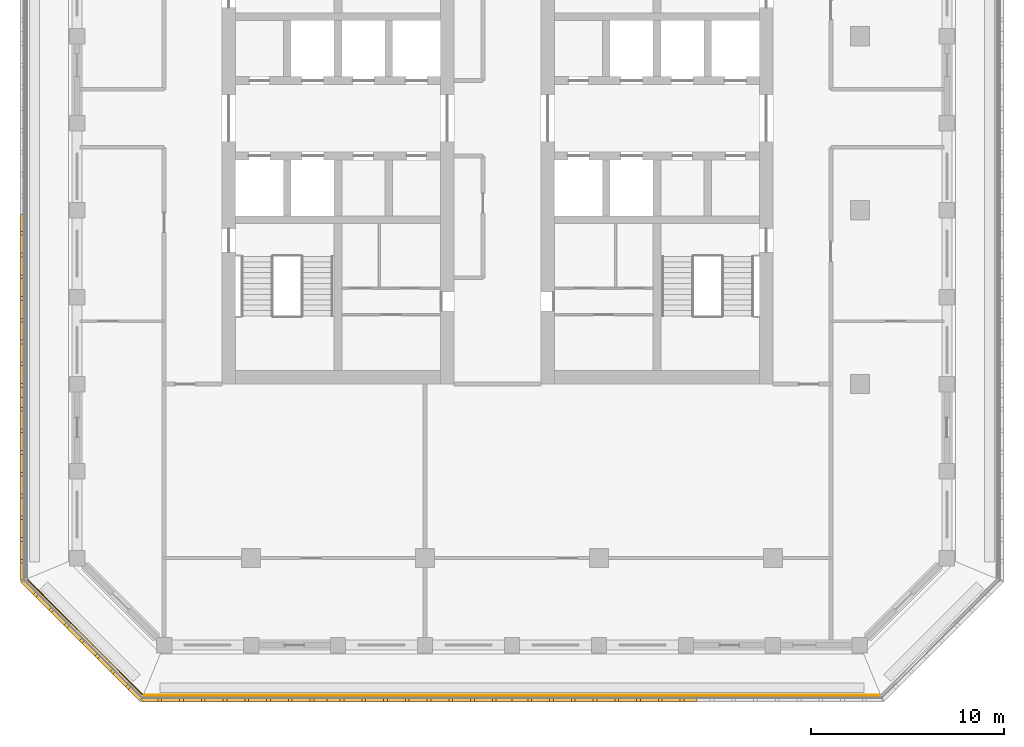
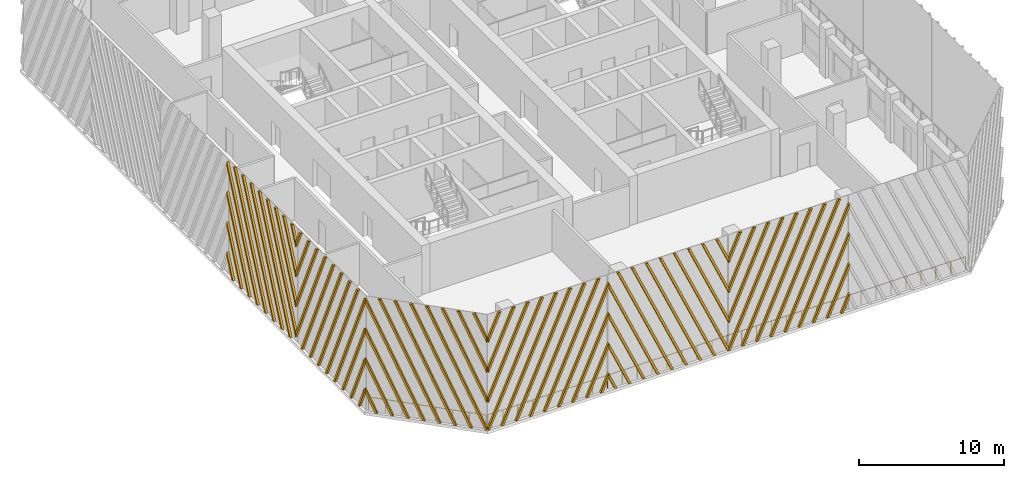
# One storey, part 9 of 17: 6 shading devices, 2 railings.
"""IFC4 building model written with IfcOpenShell, lengths in metres."""

import ifcopenshell
import ifcopenshell.guid

model = None  # the IFC model being written
_history = None  # IfcOwnerHistory: only IFC2X3 demands one
_inside = {}  # id of a spatial element -> (the spatial element, [elements in it])
_under = {}  # id of a project, library or spatial element -> (it, [spatial elements below it])
_declared = {}  # id of a project -> (the project, [libraries it declares])
_typed = {}  # id of a type object -> (the type object, [elements of that type])
_made_of = {}  # id of a material, layer set ... -> (it, [elements and type objects made of it])


def new_model(schema):
    """Start an empty IFC model of exactly this schema.

    Asked for "IFC4X3", IfcOpenShell would pick the latest addendum, in which some entities
    have other attributes; the version numbers below select the first issue.
    IFC2X3 requires an IfcOwnerHistory on every rooted entity: one is made here for all.
    """
    global model, _history
    if schema == "IFC4X3":
        model = ifcopenshell.file(schema_version=(4, 3, 0, 0))
    else:
        model = ifcopenshell.file(schema=schema)
    _inside.clear()
    _under.clear()
    _declared.clear()
    _typed.clear()
    _made_of.clear()
    _history = None
    if model.schema == "IFC2X3":
        org = make("IfcOrganization", Name="unknown")
        user = make(
            "IfcPersonAndOrganization",
            ThePerson=make("IfcPerson", FamilyName="unknown"),
            TheOrganization=org,
        )
        app = make(
            "IfcApplication",
            ApplicationDeveloper=org,
            Version="unknown",
            ApplicationFullName="unknown",
            ApplicationIdentifier="unknown",
        )
        _history = make(
            "IfcOwnerHistory",
            OwningUser=user,
            OwningApplication=app,
            ChangeAction="ADDED",
            CreationDate=0,
        )
    return model


def make(cls, **values):
    """One entity of the class cls with the attributes given. An attribute that is None is left unset."""
    return model.create_entity(
        cls, **{name: value for name, value in values.items() if value is not None}
    )


def rooted(cls, **values):
    """An entity with a GlobalId (a new one), such as an element, a storey or a relation."""
    return make(cls, GlobalId=ifcopenshell.guid.new(), OwnerHistory=_history, **values)


def si_unit(unit_type, name, prefix=None):
    """IfcSIUnit, for example si_unit("LENGTHUNIT", "METRE", prefix="MILLI")."""
    return make("IfcSIUnit", UnitType=unit_type, Prefix=prefix, Name=name)


def assignment(units):
    """IfcUnitAssignment: the units of a project."""
    return None if units is None else make("IfcUnitAssignment", Units=units)


def point(xyz):
    """IfcCartesianPoint."""
    return None if xyz is None else make("IfcCartesianPoint", Coordinates=xyz)


def direction(xyz):
    """IfcDirection."""
    return None if xyz is None else make("IfcDirection", DirectionRatios=xyz)


def frame(location, z_axis=None, x_axis=None):
    """IfcAxis2Placement3D, a coordinate frame: its origin and axes. An axis left out is left unset."""
    return make(
        "IfcAxis2Placement3D",
        Location=point(location),
        Axis=direction(z_axis),
        RefDirection=direction(x_axis),
    )


def frame_2d(location, x_axis=None):
    """IfcAxis2Placement2D, a coordinate frame in the plane: its origin and x axis."""
    return make(
        "IfcAxis2Placement2D", Location=point(location), RefDirection=direction(x_axis)
    )


def origin():
    """The frame at (0, 0, 0) with its axes left unset."""
    return frame((0.0, 0.0, 0.0))


def origin_2d():
    """The frame at (0, 0) in the plane with its x axis left unset."""
    return frame_2d((0.0, 0.0))


def place(relative_to, where):
    """IfcLocalPlacement: puts the frame where relative to a parent placement (None: the world)."""
    return make(
        "IfcLocalPlacement", PlacementRelTo=relative_to, RelativePlacement=where
    )


def context(
    kind, dimensions, precision=None, world=None, true_north=None, identifier=None
):
    """IfcGeometricRepresentationContext, for example the 3D "Model" context."""
    return make(
        "IfcGeometricRepresentationContext",
        ContextIdentifier=identifier,
        ContextType=kind,
        CoordinateSpaceDimension=dimensions,
        Precision=precision,
        WorldCoordinateSystem=world,
        TrueNorth=true_north,
    )


def subcontext(parent, identifier, kind, view, scale=None):
    """IfcGeometricRepresentationSubContext, for example "Body" below "Model"."""
    return make(
        "IfcGeometricRepresentationSubContext",
        ContextIdentifier=identifier,
        ContextType=kind,
        ParentContext=parent,
        TargetScale=scale,
        TargetView=view,
    )


def project(units=None, contexts=None):
    """IfcProject with its units and contexts."""
    return rooted(
        "IfcProject",
        Name="project",
        RepresentationContexts=contexts,
        UnitsInContext=assignment(units),
    )


def spatial(cls, under=None, at=None, **own):
    """A site, building, storey or space (cls), placed at a placement, below another one or the project."""
    s = rooted(cls, ObjectPlacement=at, **own)
    if under is not None:
        _under.setdefault(under.id(), (under, []))[1].append(s)
    return s


def polyline(points):
    """IfcPolyline through the points."""
    return make("IfcPolyline", Points=[point(p) for p in points])


def profile(cls, at=None, kind="AREA", **sizes):
    """A parametric profile (cls). Its sizes go by their IFC names, for example OverallWidth=200.0."""
    return make(cls, ProfileType=kind, Position=at, **sizes)


def circle(**sizes):
    """IfcCircleProfileDef."""
    return profile("IfcCircleProfileDef", **sizes)


def outline(outer, holes=None, kind="AREA"):
    """IfcArbitraryClosedProfileDef: a profile drawn as a closed curve; with holes, ...WithVoids."""
    if holes is None:
        return make("IfcArbitraryClosedProfileDef", ProfileType=kind, OuterCurve=outer)
    return make(
        "IfcArbitraryProfileDefWithVoids",
        ProfileType=kind,
        OuterCurve=outer,
        InnerCurves=holes,
    )


def extrude(swept, where, along, depth):
    """IfcExtrudedAreaSolid: the profile swept, set in the frame where, extruded along a direction by depth."""
    return make(
        "IfcExtrudedAreaSolid",
        SweptArea=swept,
        Position=where,
        ExtrudedDirection=direction(along),
        Depth=depth,
    )


def shape(context_of_items, identifier, shape_type, items):
    """IfcShapeRepresentation: the items that make up one representation, for example the "Body"."""
    return make(
        "IfcShapeRepresentation",
        ContextOfItems=context_of_items,
        RepresentationIdentifier=identifier,
        RepresentationType=shape_type,
        Items=items,
    )


def source(mapping_origin, context_of_items, identifier, shape_type, items):
    """IfcRepresentationMap: a shape defined once, which mapped items show again and again."""
    return make(
        "IfcRepresentationMap",
        MappingOrigin=mapping_origin,
        MappedRepresentation=shape(context_of_items, identifier, shape_type, items),
    )


def transform(
    local_origin,
    x_axis=None,
    y_axis=None,
    z_axis=None,
    scale=None,
    scale2=None,
    scale3=None,
    uniform=True,
):
    """IfcCartesianTransformationOperator3D, or its non-uniform kind. x_axis, y_axis, z_axis: its Axis1, 2, 3."""
    if uniform:
        return make(
            "IfcCartesianTransformationOperator3D",
            Axis1=direction(x_axis),
            Axis2=direction(y_axis),
            LocalOrigin=point(local_origin),
            Scale=scale,
            Axis3=direction(z_axis),
        )
    return make(
        "IfcCartesianTransformationOperator3DnonUniform",
        Axis1=direction(x_axis),
        Axis2=direction(y_axis),
        LocalOrigin=point(local_origin),
        Scale=scale,
        Axis3=direction(z_axis),
        Scale2=scale2,
        Scale3=scale3,
    )


def mapped(mapping_source, mapping_target):
    """IfcMappedItem: shows the shape of a source again, moved by a transform."""
    return make(
        "IfcMappedItem", MappingSource=mapping_source, MappingTarget=mapping_target
    )


def material(Name=None, Category=None):
    """IfcMaterial."""
    return make("IfcMaterial", Name=Name, Category=Category)


def made_of(thing, what):
    """Note that an element or type object is made of a material, layer set ...; save() writes the relation."""
    if what is not None:
        _made_of.setdefault(what.id(), (what, []))[1].append(thing)
    return thing


def type_object(cls, material=None, **own):
    """A type object (cls), such as IfcWallType, which elements share."""
    return made_of(rooted(cls, **own), material)


def element(
    cls,
    number,
    at=None,
    inside=None,
    cuts=None,
    type_object=None,
    material=None,
    context=None,
    identifier="Body",
    shape_type=None,
    held_by="IfcProductDefinitionShape",
    body=None,
    shapes=None,
    **own,
):
    """One element of the class cls, such as IfcWall. Its Tag is "e" and its number.

    at: its placement. inside: the storey or other place that contains it. cuts: it is an
    opening in that element (IfcRelVoidsElement). A single representation is given by context,
    identifier, shape_type and body (its items); several are given by shapes. held_by: the class
    of the entity that holds the representations. save() writes the other relations.
    """
    e = rooted(cls, Tag="e%d" % number, ObjectPlacement=at, **own)
    if body is not None:
        shapes = [shape(context, identifier, shape_type, body)]
    if shapes is not None:
        e.Representation = make(held_by, Representations=shapes)
    if inside is not None:
        _inside.setdefault(inside.id(), (inside, []))[1].append(e)
    if cuts is not None:
        rooted(
            "IfcRelVoidsElement", RelatingBuildingElement=cuts, RelatedOpeningElement=e
        )
    if type_object is not None:
        _typed.setdefault(type_object.id(), (type_object, []))[1].append(e)
    return made_of(e, material)


def aggregate(whole, parts):
    """IfcRelAggregates: a whole, such as a stair, and the parts it consists of."""
    return rooted("IfcRelAggregates", RelatingObject=whole, RelatedObjects=parts)


def save(model, path):
    """Write the relations noted so far, then the file.

    IfcRelAggregates (storeys below a building ...), IfcRelContainedInSpatialStructure (elements
    in a storey), IfcRelDefinesByType, IfcRelAssociatesMaterial and IfcRelDeclares: one each for
    every whole, place, type object, material and project.
    """
    for whole, parts in _under.values():
        aggregate(whole, parts)
    for where, things in _inside.values():
        rooted(
            "IfcRelContainedInSpatialStructure",
            RelatedElements=things,
            RelatingStructure=where,
        )
    for kind, things in _typed.values():
        rooted("IfcRelDefinesByType", RelatedObjects=things, RelatingType=kind)
    for what, things in _made_of.values():
        rooted("IfcRelAssociatesMaterial", RelatedObjects=things, RelatingMaterial=what)
    for by, libraries in _declared.values():
        rooted("IfcRelDeclares", RelatingContext=by, RelatedDefinitions=libraries)
    model.write(path)


model = new_model("IFC4")

# Units and contexts
model_context = context("Model", 3, precision=1e-05, world=origin(), true_north=direction((0.0, 1.0)))
body_context = subcontext(model_context, "Body", "Model", "MODEL_VIEW")
ifc_project = project(units=[si_unit("LENGTHUNIT", "METRE"), si_unit("AREAUNIT", "SQUARE_METRE"), si_unit("VOLUMEUNIT", "CUBIC_METRE"), si_unit("PLANEANGLEUNIT", "RADIAN"), si_unit("MASSUNIT", "GRAM", prefix="KILO")], contexts=[model_context])

# Site, building, storey
site_placement = place(None, origin())
site = spatial("IfcSite", under=ifc_project, at=site_placement, CompositionType="ELEMENT")
building_placement = place(site_placement, origin())
building = spatial("IfcBuilding", under=site, at=building_placement, Name="Corbel Stack Research Tower", CompositionType="ELEMENT")
storey_placement = place(building_placement, frame((0.0, 0.0, 256.199951171875)))
storey = spatial("IfcBuildingStorey", under=building, at=storey_placement, Name="L58", CompositionType="ELEMENT", Elevation=256.199951171875)

# Railings
ifc_material_1 = material(Name="Powder-coated steel guard", Category="steel")
railing_type = type_object("IfcRailingType", Name="Steel and glass guard 1100", PredefinedType="GUARDRAIL", material=ifc_material_1)
railing_1_placement = place(storey_placement, frame((-14.50537109375, -25.10009765625, 0.0)))
element("IfcRailing", 1, at=railing_1_placement, inside=storey, type_object=railing_type, Name="Loggia guard L58 S", PredefinedType="GUARDRAIL", context=body_context, shape_type="SweptSolid", body=[
    extrude(circle(Radius=0.02392578125, at=origin_2d()), frame((0.0, 0.0, 1.076171875), z_axis=(1.0, 0.0, 0.0), x_axis=(0.0, 1.0, 0.0)), (0.0, 0.0, 1.0), 38.0107421875),
    extrude(circle(Radius=0.02099609375, at=origin_2d()), origin(), (0.0, 0.0, 1.0), 1.052001953125),
    extrude(circle(Radius=0.02099609375, at=origin_2d()), frame((1.187744140625, 0.0, 0.0)), (0.0, 0.0, 1.0), 1.052001953125),
    extrude(circle(Radius=0.02099609375, at=origin_2d()), frame((2.375732421875, 0.0, 0.0)), (0.0, 0.0, 1.0), 1.052001953125),
    extrude(circle(Radius=0.02099609375, at=origin_2d()), frame((3.5634765625, 0.0, 0.0)), (0.0, 0.0, 1.0), 1.052001953125),
    extrude(circle(Radius=0.02099609375, at=origin_2d()), frame((4.75146484375, 0.0, 0.0)), (0.0, 0.0, 1.0), 1.052001953125),
    extrude(circle(Radius=0.02099609375, at=origin_2d()), frame((5.939208984375, 0.0, 0.0)), (0.0, 0.0, 1.0), 1.052001953125),
    extrude(circle(Radius=0.02099609375, at=origin_2d()), frame((7.126953125, 0.0, 0.0)), (0.0, 0.0, 1.0), 1.052001953125),
    extrude(circle(Radius=0.02099609375, at=origin_2d()), frame((8.31494140625, 0.0, 0.0)), (0.0, 0.0, 1.0), 1.052001953125),
    extrude(circle(Radius=0.02099609375, at=origin_2d()), frame((9.502685546875, 0.0, 0.0)), (0.0, 0.0, 1.0), 1.052001953125),
    extrude(circle(Radius=0.02099609375, at=origin_2d()), frame((10.6904296875, 0.0, 0.0)), (0.0, 0.0, 1.0), 1.052001953125),
    extrude(circle(Radius=0.02099609375, at=origin_2d()), frame((11.87841796875, 0.0, 0.0)), (0.0, 0.0, 1.0), 1.052001953125),
    extrude(circle(Radius=0.02099609375, at=origin_2d()), frame((13.066162109375, 0.0, 0.0)), (0.0, 0.0, 1.0), 1.052001953125),
    extrude(circle(Radius=0.02099609375, at=origin_2d()), frame((14.25390625, 0.0, 0.0)), (0.0, 0.0, 1.0), 1.052001953125),
    extrude(circle(Radius=0.02099609375, at=origin_2d()), frame((15.44189453125, 0.0, 0.0)), (0.0, 0.0, 1.0), 1.052001953125),
    extrude(circle(Radius=0.02099609375, at=origin_2d()), frame((16.629638671875, 0.0, 0.0)), (0.0, 0.0, 1.0), 1.052001953125),
    extrude(circle(Radius=0.02099609375, at=origin_2d()), frame((17.817626953125, 0.0, 0.0)), (0.0, 0.0, 1.0), 1.052001953125),
    extrude(circle(Radius=0.02099609375, at=origin_2d()), frame((19.00537109375, 0.0, 0.0)), (0.0, 0.0, 1.0), 1.052001953125),
    extrude(circle(Radius=0.02099609375, at=origin_2d()), frame((20.193115234375, 0.0, 0.0)), (0.0, 0.0, 1.0), 1.052001953125),
    extrude(circle(Radius=0.02099609375, at=origin_2d()), frame((21.381103515625, 0.0, 0.0)), (0.0, 0.0, 1.0), 1.052001953125),
    extrude(circle(Radius=0.02099609375, at=origin_2d()), frame((22.56884765625, 0.0, 0.0)), (0.0, 0.0, 1.0), 1.052001953125),
    extrude(circle(Radius=0.02099609375, at=origin_2d()), frame((23.7568359375, 0.0, 0.0)), (0.0, 0.0, 1.0), 1.052001953125),
    extrude(circle(Radius=0.02099609375, at=origin_2d()), frame((24.944580078125, 0.0, 0.0)), (0.0, 0.0, 1.0), 1.052001953125),
    extrude(circle(Radius=0.02099609375, at=origin_2d()), frame((26.13232421875, 0.0, 0.0)), (0.0, 0.0, 1.0), 1.052001953125),
    extrude(circle(Radius=0.02099609375, at=origin_2d()), frame((27.3203125, 0.0, 0.0)), (0.0, 0.0, 1.0), 1.052001953125),
    extrude(circle(Radius=0.02099609375, at=origin_2d()), frame((28.508056640625, 0.0, 0.0)), (0.0, 0.0, 1.0), 1.052001953125),
    extrude(circle(Radius=0.02099609375, at=origin_2d()), frame((29.69580078125, 0.0, 0.0)), (0.0, 0.0, 1.0), 1.052001953125),
    extrude(circle(Radius=0.02099609375, at=origin_2d()), frame((30.8837890625, 0.0, 0.0)), (0.0, 0.0, 1.0), 1.052001953125),
    extrude(circle(Radius=0.02099609375, at=origin_2d()), frame((32.071533203125, 0.0, 0.0)), (0.0, 0.0, 1.0), 1.052001953125),
    extrude(circle(Radius=0.02099609375, at=origin_2d()), frame((33.25927734375, 0.0, 0.0)), (0.0, 0.0, 1.0), 1.052001953125),
    extrude(circle(Radius=0.02099609375, at=origin_2d()), frame((34.447265625, 0.0, 0.0)), (0.0, 0.0, 1.0), 1.052001953125),
    extrude(circle(Radius=0.02099609375, at=origin_2d()), frame((35.635009765625, 0.0, 0.0)), (0.0, 0.0, 1.0), 1.052001953125),
    extrude(circle(Radius=0.02099609375, at=origin_2d()), frame((36.822998046875, 0.0, 0.0)), (0.0, 0.0, 1.0), 1.052001953125),
    extrude(circle(Radius=0.02099609375, at=origin_2d()), frame((38.0107421875, 0.0, 0.0)), (0.0, 0.0, 1.0), 1.052001953125),
])
railing_2_placement = place(storey_placement, frame((-20.54931640625, -19.127685546875, 0.0)))
element("IfcRailing", 2, at=railing_2_placement, inside=storey, type_object=railing_type, Name="Loggia guard L58 SW", PredefinedType="GUARDRAIL", context=body_context, shape_type="SweptSolid", body=[
    extrude(circle(Radius=0.02392578125, at=origin_2d()), frame((0.0, 0.0, 1.076171875), z_axis=(0.707106781187, -0.707106781187, 0.0), x_axis=(0.707106781187, 0.707106781187, 0.0)), (0.0, 0.0, 1.0), 8.37451171875),
    extrude(circle(Radius=0.02099609375, at=origin_2d()), origin(), (0.0, 0.0, 1.0), 1.052001953125),
    extrude(circle(Radius=0.02099609375, at=origin_2d()), frame((0.845947265625, -0.845947265625, 0.0)), (0.0, 0.0, 1.0), 1.052001953125),
    extrude(circle(Radius=0.02099609375, at=origin_2d()), frame((1.69189453125, -1.69189453125, 0.0)), (0.0, 0.0, 1.0), 1.052001953125),
    extrude(circle(Radius=0.02099609375, at=origin_2d()), frame((2.537841796875, -2.537841796875, 0.0)), (0.0, 0.0, 1.0), 1.052001953125),
    extrude(circle(Radius=0.02099609375, at=origin_2d()), frame((3.3837890625, -3.3837890625, 0.0)), (0.0, 0.0, 1.0), 1.052001953125),
    extrude(circle(Radius=0.02099609375, at=origin_2d()), frame((4.229736328125, -4.229736328125, 0.0)), (0.0, 0.0, 1.0), 1.052001953125),
    extrude(circle(Radius=0.02099609375, at=origin_2d()), frame((5.07568359375, -5.07568359375, 0.0)), (0.0, 0.0, 1.0), 1.052001953125),
    extrude(circle(Radius=0.02099609375, at=origin_2d()), frame((5.921630859375, -5.921630859375, 0.0)), (0.0, 0.0, 1.0), 1.052001953125),
])

# Shading devices
ifc_material_2 = material(Name="Precast terracotta", Category="masonry")
shading_device_type = type_object("IfcShadingDeviceType", Name="Terracotta screen panel", PredefinedType="USERDEFINED", material=ifc_material_2)
shared_shape_1 = source(origin(), body_context, "Body", "SweptSolid", [
    extrude(outline(polyline([(1.0166015625, 9.64990234375), (0.826416015625, 9.64990234375), (0.0, 7.793701171875), (0.0, 7.366943359375), (1.0166015625, 9.64990234375)])), frame((0.0, 0.0, 0.0), z_axis=(0.0, -1.0, 0.0), x_axis=(1.0, 0.0, 0.0)), (0.0, 0.0, 1.0), 0.179931640625),
    extrude(outline(polyline([(2.1416015625, 9.64990234375), (1.951416015625, 9.64990234375), (0.0, 5.26708984375), (0.0, 4.840087890625), (2.1416015625, 9.64990234375)])), frame((0.0, 0.0, 0.0), z_axis=(0.0, -1.0, 0.0), x_axis=(1.0, 0.0, 0.0)), (0.0, 0.0, 1.0), 0.179931640625),
    extrude(outline(polyline([(3.2666015625, 9.64990234375), (3.076416015625, 9.64990234375), (0.0, 2.740234375), (0.0, 2.3134765625), (3.2666015625, 9.64990234375)])), frame((0.0, 0.0, 0.0), z_axis=(0.0, -1.0, 0.0), x_axis=(1.0, 0.0, 0.0)), (0.0, 0.0, 1.0), 0.179931640625),
    extrude(outline(polyline([(0.094970703125, 0.0), (4.3916015625, 9.64990234375), (4.201416015625, 9.64990234375), (0.0, 0.21337890625), (0.0, 0.0), (0.094970703125, 0.0)])), frame((0.0, 0.0, 0.0), z_axis=(0.0, -1.0, 0.0), x_axis=(1.0, 0.0, 0.0)), (0.0, 0.0, 1.0), 0.179931640625),
    extrude(outline(polyline([(1.219970703125, 0.0), (5.5166015625, 9.64990234375), (5.326416015625, 9.64990234375), (1.030029296875, 0.0), (1.219970703125, 0.0)])), frame((0.0, 0.0, 0.0), z_axis=(0.0, -1.0, 0.0), x_axis=(1.0, 0.0, 0.0)), (0.0, 0.0, 1.0), 0.179931640625),
    extrude(outline(polyline([(2.344970703125, 0.0), (6.6416015625, 9.64990234375), (6.451416015625, 9.64990234375), (2.155029296875, 0.0), (2.344970703125, 0.0)])), frame((0.0, 0.0, 0.0), z_axis=(0.0, -1.0, 0.0), x_axis=(1.0, 0.0, 0.0)), (0.0, 0.0, 1.0), 0.179931640625),
    extrude(outline(polyline([(3.469970703125, 0.0), (7.7666015625, 9.64990234375), (7.576416015625, 9.64990234375), (3.280029296875, 0.0), (3.469970703125, 0.0)])), frame((0.0, 0.0, 0.0), z_axis=(0.0, -1.0, 0.0), x_axis=(1.0, 0.0, 0.0)), (0.0, 0.0, 1.0), 0.179931640625),
    extrude(outline(polyline([(4.594970703125, 0.0), (8.8916015625, 9.64990234375), (8.701416015625, 9.64990234375), (4.405029296875, 0.0), (4.594970703125, 0.0)])), frame((0.0, 0.0, 0.0), z_axis=(0.0, -1.0, 0.0), x_axis=(1.0, 0.0, 0.0)), (0.0, 0.0, 1.0), 0.179931640625),
    extrude(outline(polyline([(5.719970703125, 0.0), (9.569580078125, 8.646240234375), (9.569580078125, 9.072998046875), (5.530029296875, 0.0), (5.719970703125, 0.0)])), frame((0.0, 0.0, 0.0), z_axis=(0.0, -1.0, 0.0), x_axis=(1.0, 0.0, 0.0)), (0.0, 0.0, 1.0), 0.179931640625),
    extrude(outline(polyline([(6.844970703125, 0.0), (9.569580078125, 6.119384765625), (9.569580078125, 6.546142578125), (6.655029296875, 0.0), (6.844970703125, 0.0)])), frame((0.0, 0.0, 0.0), z_axis=(0.0, -1.0, 0.0), x_axis=(1.0, 0.0, 0.0)), (0.0, 0.0, 1.0), 0.179931640625),
    extrude(outline(polyline([(7.969970703125, 0.0), (9.569580078125, 3.592529296875), (9.569580078125, 4.019287109375), (7.780029296875, 0.0), (7.969970703125, 0.0)])), frame((0.0, 0.0, 0.0), z_axis=(0.0, -1.0, 0.0), x_axis=(1.0, 0.0, 0.0)), (0.0, 0.0, 1.0), 0.179931640625),
    extrude(outline(polyline([(9.094970703125, 0.0), (9.569580078125, 1.06591796875), (9.569580078125, 1.49267578125), (8.905029296875, 0.0), (9.094970703125, 0.0)])), frame((0.0, 0.0, 0.0), z_axis=(0.0, -1.0, 0.0), x_axis=(1.0, 0.0, 0.0)), (0.0, 0.0, 1.0), 0.179931640625),
])
for number, where, z_axis, x_axis, name in (
    (3, (-14.63916015625, -25.25, 0.0), (0.0, 0.0, 1.0), (1.0, 0.0, 0.0), "Terracotta screen L58 S1"),
    (4, (4.5, -25.25, 0.0), (0.0, 0.0, 1.0), (1.0, 0.0, 0.0), "Terracotta screen L58 S3"),
):
    element("IfcShadingDevice", number, at=place(storey_placement, frame(where, z_axis=z_axis, x_axis=x_axis)), inside=storey, type_object=shading_device_type, Name=name, ObjectType="SCREEN", PredefinedType="USERDEFINED", context=body_context, shape_type="MappedRepresentation", body=[
        mapped(shared_shape_1, transform((0.0, 0.0, 0.0))),
    ])
shared_shape_2 = source(origin(), body_context, "Body", "SweptSolid", [
    extrude(outline(polyline([(0.66455078125, 0.0), (0.0, 1.49267578125), (0.0, 1.06591796875), (0.474609375, 0.0), (0.66455078125, 0.0)])), frame((0.0, 0.0, 0.0), z_axis=(0.0, -1.0, 0.0), x_axis=(1.0, 0.0, 0.0)), (0.0, 0.0, 1.0), 0.179931640625),
    extrude(outline(polyline([(1.78955078125, 0.0), (0.0, 4.019287109375), (0.0, 3.592529296875), (1.599609375, 0.0), (1.78955078125, 0.0)])), frame((0.0, 0.0, 0.0), z_axis=(0.0, -1.0, 0.0), x_axis=(1.0, 0.0, 0.0)), (0.0, 0.0, 1.0), 0.179931640625),
    extrude(outline(polyline([(2.91455078125, 0.0), (0.0, 6.546142578125), (0.0, 6.119384765625), (2.724609375, 0.0), (2.91455078125, 0.0)])), frame((0.0, 0.0, 0.0), z_axis=(0.0, -1.0, 0.0), x_axis=(1.0, 0.0, 0.0)), (0.0, 0.0, 1.0), 0.179931640625),
    extrude(outline(polyline([(4.03955078125, 0.0), (0.0, 9.072998046875), (0.0, 8.646240234375), (3.849609375, 0.0), (4.03955078125, 0.0)])), frame((0.0, 0.0, 0.0), z_axis=(0.0, -1.0, 0.0), x_axis=(1.0, 0.0, 0.0)), (0.0, 0.0, 1.0), 0.179931640625),
    extrude(outline(polyline([(5.16455078125, 0.0), (0.8681640625, 9.64990234375), (0.677978515625, 9.64990234375), (4.974609375, 0.0), (5.16455078125, 0.0)])), frame((0.0, 0.0, 0.0), z_axis=(0.0, -1.0, 0.0), x_axis=(1.0, 0.0, 0.0)), (0.0, 0.0, 1.0), 0.179931640625),
    extrude(outline(polyline([(6.28955078125, 0.0), (1.9931640625, 9.64990234375), (1.802978515625, 9.64990234375), (6.099609375, 0.0), (6.28955078125, 0.0)])), frame((0.0, 0.0, 0.0), z_axis=(0.0, -1.0, 0.0), x_axis=(1.0, 0.0, 0.0)), (0.0, 0.0, 1.0), 0.179931640625),
    extrude(outline(polyline([(7.41455078125, 0.0), (3.1181640625, 9.64990234375), (2.927978515625, 9.64990234375), (7.224609375, 0.0), (7.41455078125, 0.0)])), frame((0.0, 0.0, 0.0), z_axis=(0.0, -1.0, 0.0), x_axis=(1.0, 0.0, 0.0)), (0.0, 0.0, 1.0), 0.179931640625),
    extrude(outline(polyline([(8.53955078125, 0.0), (4.2431640625, 9.64990234375), (4.052978515625, 9.64990234375), (8.349609375, 0.0), (8.53955078125, 0.0)])), frame((0.0, 0.0, 0.0), z_axis=(0.0, -1.0, 0.0), x_axis=(1.0, 0.0, 0.0)), (0.0, 0.0, 1.0), 0.179931640625),
    extrude(outline(polyline([(9.569580078125, 0.0), (9.569580078125, 0.21337890625), (5.3681640625, 9.64990234375), (5.177978515625, 9.64990234375), (9.474609375, 0.0), (9.569580078125, 0.0)])), frame((0.0, 0.0, 0.0), z_axis=(0.0, -1.0, 0.0), x_axis=(1.0, 0.0, 0.0)), (0.0, 0.0, 1.0), 0.179931640625),
    extrude(outline(polyline([(6.4931640625, 9.64990234375), (6.302978515625, 9.64990234375), (9.569580078125, 2.3134765625), (9.569580078125, 2.740234375), (6.4931640625, 9.64990234375)])), frame((0.0, 0.0, 0.0), z_axis=(0.0, -1.0, 0.0), x_axis=(1.0, 0.0, 0.0)), (0.0, 0.0, 1.0), 0.179931640625),
    extrude(outline(polyline([(7.6181640625, 9.64990234375), (7.427978515625, 9.64990234375), (9.569580078125, 4.840087890625), (9.569580078125, 5.26708984375), (7.6181640625, 9.64990234375)])), frame((0.0, 0.0, 0.0), z_axis=(0.0, -1.0, 0.0), x_axis=(1.0, 0.0, 0.0)), (0.0, 0.0, 1.0), 0.179931640625),
    extrude(outline(polyline([(8.7431640625, 9.64990234375), (8.552978515625, 9.64990234375), (9.569580078125, 7.366943359375), (9.569580078125, 7.793701171875), (8.7431640625, 9.64990234375)])), frame((0.0, 0.0, 0.0), z_axis=(0.0, -1.0, 0.0), x_axis=(1.0, 0.0, 0.0)), (0.0, 0.0, 1.0), 0.179931640625),
])
shading_device_1_placement = place(storey_placement, frame((-5.069580078125, -25.25, 0.0), z_axis=(0.0, 0.0, 1.0), x_axis=(1.0, 0.0, 0.0)))
element("IfcShadingDevice", 5, at=shading_device_1_placement, inside=storey, type_object=shading_device_type, Name="Terracotta screen L58 S2", ObjectType="SCREEN", PredefinedType="USERDEFINED", context=body_context, shape_type="MappedRepresentation", body=[
    mapped(shared_shape_2, transform((0.0, 0.0, 0.0))),
])
shared_shape_3 = source(origin(), body_context, "Body", "SweptSolid", [
    extrude(outline(polyline([(0.862060546875, 0.0), (0.0, 1.936279296875), (0.0, 1.509521484375), (0.672119140625, 0.0), (0.862060546875, 0.0)])), frame((0.0, 0.0, 0.0), z_axis=(0.0, -1.0, 0.0), x_axis=(1.0, 0.0, 0.0)), (0.0, 0.0, 1.0), 0.179931640625),
    extrude(outline(polyline([(1.987060546875, 0.0), (0.0, 4.463134765625), (0.0, 4.036376953125), (1.797119140625, 0.0), (1.987060546875, 0.0)])), frame((0.0, 0.0, 0.0), z_axis=(0.0, -1.0, 0.0), x_axis=(1.0, 0.0, 0.0)), (0.0, 0.0, 1.0), 0.179931640625),
    extrude(outline(polyline([(3.112060546875, 0.0), (0.0, 6.989990234375), (0.0, 6.563232421875), (2.922119140625, 0.0), (3.112060546875, 0.0)])), frame((0.0, 0.0, 0.0), z_axis=(0.0, -1.0, 0.0), x_axis=(1.0, 0.0, 0.0)), (0.0, 0.0, 1.0), 0.179931640625),
    extrude(outline(polyline([(4.237060546875, 0.0), (0.0, 9.516845703125), (0.0, 9.090087890625), (4.047119140625, 0.0), (4.237060546875, 0.0)])), frame((0.0, 0.0, 0.0), z_axis=(0.0, -1.0, 0.0), x_axis=(1.0, 0.0, 0.0)), (0.0, 0.0, 1.0), 0.179931640625),
    extrude(outline(polyline([(5.362060546875, 0.0), (1.065673828125, 9.64990234375), (0.875732421875, 9.64990234375), (5.172119140625, 0.0), (5.362060546875, 0.0)])), frame((0.0, 0.0, 0.0), z_axis=(0.0, -1.0, 0.0), x_axis=(1.0, 0.0, 0.0)), (0.0, 0.0, 1.0), 0.179931640625),
    extrude(outline(polyline([(6.487060546875, 0.0), (2.190673828125, 9.64990234375), (2.000732421875, 9.64990234375), (6.297119140625, 0.0), (6.487060546875, 0.0)])), frame((0.0, 0.0, 0.0), z_axis=(0.0, -1.0, 0.0), x_axis=(1.0, 0.0, 0.0)), (0.0, 0.0, 1.0), 0.179931640625),
    extrude(outline(polyline([(7.612060546875, 0.0), (3.315673828125, 9.64990234375), (3.125732421875, 9.64990234375), (7.422119140625, 0.0), (7.612060546875, 0.0)])), frame((0.0, 0.0, 0.0), z_axis=(0.0, -1.0, 0.0), x_axis=(1.0, 0.0, 0.0)), (0.0, 0.0, 1.0), 0.179931640625),
    extrude(outline(polyline([(8.737060546875, 0.0), (4.440673828125, 9.64990234375), (4.250732421875, 9.64990234375), (8.547119140625, 0.0), (8.737060546875, 0.0)])), frame((0.0, 0.0, 0.0), z_axis=(0.0, -1.0, 0.0), x_axis=(1.0, 0.0, 0.0)), (0.0, 0.0, 1.0), 0.179931640625),
    extrude(outline(polyline([(5.565673828125, 9.64990234375), (5.375732421875, 9.64990234375), (9.45556640625, 0.486328125), (9.45556640625, 0.9130859375), (5.565673828125, 9.64990234375)])), frame((0.0, 0.0, 0.0), z_axis=(0.0, -1.0, 0.0), x_axis=(1.0, 0.0, 0.0)), (0.0, 0.0, 1.0), 0.179931640625),
    extrude(outline(polyline([(6.690673828125, 9.64990234375), (6.500732421875, 9.64990234375), (9.45556640625, 3.01318359375), (9.45556640625, 3.439697265625), (6.690673828125, 9.64990234375)])), frame((0.0, 0.0, 0.0), z_axis=(0.0, -1.0, 0.0), x_axis=(1.0, 0.0, 0.0)), (0.0, 0.0, 1.0), 0.179931640625),
    extrude(outline(polyline([(7.815673828125, 9.64990234375), (7.625732421875, 9.64990234375), (9.45556640625, 5.539794921875), (9.45556640625, 5.966552734375), (7.815673828125, 9.64990234375)])), frame((0.0, 0.0, 0.0), z_axis=(0.0, -1.0, 0.0), x_axis=(1.0, 0.0, 0.0)), (0.0, 0.0, 1.0), 0.179931640625),
    extrude(outline(polyline([(8.940673828125, 9.64990234375), (8.750732421875, 9.64990234375), (9.45556640625, 8.066650390625), (9.45556640625, 8.493408203125), (8.940673828125, 9.64990234375)])), frame((0.0, 0.0, 0.0), z_axis=(0.0, -1.0, 0.0), x_axis=(1.0, 0.0, 0.0)), (0.0, 0.0, 1.0), 0.179931640625),
])
shading_device_2_placement = place(storey_placement, frame((-20.75, -0.227783203125, 0.0), z_axis=(0.0, 0.0, 1.0), x_axis=(0.0, -1.0, 0.0)))
element("IfcShadingDevice", 6, at=shading_device_2_placement, inside=storey, type_object=shading_device_type, Name="Terracotta screen L58 W4", ObjectType="SCREEN", PredefinedType="USERDEFINED", context=body_context, shape_type="MappedRepresentation", body=[
    mapped(shared_shape_3, transform((0.0, 0.0, 0.0))),
])
shared_shape_4 = source(origin(), body_context, "Body", "SweptSolid", [
    extrude(outline(polyline([(0.705078125, 9.64990234375), (0.514892578125, 9.64990234375), (0.0, 8.493408203125), (0.0, 8.066650390625), (0.705078125, 9.64990234375)])), frame((0.0, 0.0, 0.0), z_axis=(0.0, -1.0, 0.0), x_axis=(1.0, 0.0, 0.0)), (0.0, 0.0, 1.0), 0.179931640625),
    extrude(outline(polyline([(1.830078125, 9.64990234375), (1.639892578125, 9.64990234375), (0.0, 5.966552734375), (0.0, 5.539794921875), (1.830078125, 9.64990234375)])), frame((0.0, 0.0, 0.0), z_axis=(0.0, -1.0, 0.0), x_axis=(1.0, 0.0, 0.0)), (0.0, 0.0, 1.0), 0.179931640625),
    extrude(outline(polyline([(2.955078125, 9.64990234375), (2.764892578125, 9.64990234375), (0.0, 3.439697265625), (0.0, 3.01318359375), (2.955078125, 9.64990234375)])), frame((0.0, 0.0, 0.0), z_axis=(0.0, -1.0, 0.0), x_axis=(1.0, 0.0, 0.0)), (0.0, 0.0, 1.0), 0.179931640625),
    extrude(outline(polyline([(4.080078125, 9.64990234375), (3.889892578125, 9.64990234375), (0.0, 0.9130859375), (0.0, 0.486328125), (4.080078125, 9.64990234375)])), frame((0.0, 0.0, 0.0), z_axis=(0.0, -1.0, 0.0), x_axis=(1.0, 0.0, 0.0)), (0.0, 0.0, 1.0), 0.179931640625),
    extrude(outline(polyline([(0.908447265625, 0.0), (5.205078125, 9.64990234375), (5.014892578125, 9.64990234375), (0.718505859375, 0.0), (0.908447265625, 0.0)])), frame((0.0, 0.0, 0.0), z_axis=(0.0, -1.0, 0.0), x_axis=(1.0, 0.0, 0.0)), (0.0, 0.0, 1.0), 0.179931640625),
    extrude(outline(polyline([(2.033447265625, 0.0), (6.330078125, 9.64990234375), (6.139892578125, 9.64990234375), (1.843505859375, 0.0), (2.033447265625, 0.0)])), frame((0.0, 0.0, 0.0), z_axis=(0.0, -1.0, 0.0), x_axis=(1.0, 0.0, 0.0)), (0.0, 0.0, 1.0), 0.179931640625),
    extrude(outline(polyline([(3.158447265625, 0.0), (7.455078125, 9.64990234375), (7.264892578125, 9.64990234375), (2.968505859375, 0.0), (3.158447265625, 0.0)])), frame((0.0, 0.0, 0.0), z_axis=(0.0, -1.0, 0.0), x_axis=(1.0, 0.0, 0.0)), (0.0, 0.0, 1.0), 0.179931640625),
    extrude(outline(polyline([(4.283447265625, 0.0), (8.580078125, 9.64990234375), (8.389892578125, 9.64990234375), (4.093505859375, 0.0), (4.283447265625, 0.0)])), frame((0.0, 0.0, 0.0), z_axis=(0.0, -1.0, 0.0), x_axis=(1.0, 0.0, 0.0)), (0.0, 0.0, 1.0), 0.179931640625),
    extrude(outline(polyline([(5.408447265625, 0.0), (9.45556640625, 9.090087890625), (9.45556640625, 9.516845703125), (5.218505859375, 0.0), (5.408447265625, 0.0)])), frame((0.0, 0.0, 0.0), z_axis=(0.0, -1.0, 0.0), x_axis=(1.0, 0.0, 0.0)), (0.0, 0.0, 1.0), 0.179931640625),
    extrude(outline(polyline([(6.533447265625, 0.0), (9.45556640625, 6.563232421875), (9.45556640625, 6.989990234375), (6.343505859375, 0.0), (6.533447265625, 0.0)])), frame((0.0, 0.0, 0.0), z_axis=(0.0, -1.0, 0.0), x_axis=(1.0, 0.0, 0.0)), (0.0, 0.0, 1.0), 0.179931640625),
    extrude(outline(polyline([(7.658447265625, 0.0), (9.45556640625, 4.036376953125), (9.45556640625, 4.463134765625), (7.468505859375, 0.0), (7.658447265625, 0.0)])), frame((0.0, 0.0, 0.0), z_axis=(0.0, -1.0, 0.0), x_axis=(1.0, 0.0, 0.0)), (0.0, 0.0, 1.0), 0.179931640625),
    extrude(outline(polyline([(8.783447265625, 0.0), (9.45556640625, 1.509521484375), (9.45556640625, 1.936279296875), (8.593505859375, 0.0), (8.783447265625, 0.0)])), frame((0.0, 0.0, 0.0), z_axis=(0.0, -1.0, 0.0), x_axis=(1.0, 0.0, 0.0)), (0.0, 0.0, 1.0), 0.179931640625),
])
shading_device_3_placement = place(storey_placement, frame((-20.75, -9.68359375, 0.0), z_axis=(0.0, 0.0, 1.0), x_axis=(0.0, -1.0, 0.0)))
element("IfcShadingDevice", 7, at=shading_device_3_placement, inside=storey, type_object=shading_device_type, Name="Terracotta screen L58 W5", ObjectType="SCREEN", PredefinedType="USERDEFINED", context=body_context, shape_type="MappedRepresentation", body=[
    mapped(shared_shape_4, transform((0.0, 0.0, 0.0))),
])
shared_shape_5 = source(origin(), body_context, "Body", "SweptSolid", [
    extrude(outline(polyline([(0.862060546875, 0.0), (0.0, 1.936279296875), (0.0, 1.509521484375), (0.672119140625, 0.0), (0.862060546875, 0.0)])), frame((0.0, 0.0, 0.0), z_axis=(0.0, -1.0, 0.0), x_axis=(1.0, 0.0, 0.0)), (0.0, 0.0, 1.0), 0.179931640625),
    extrude(outline(polyline([(1.987060546875, 0.0), (0.0, 4.463134765625), (0.0, 4.036376953125), (1.797119140625, 0.0), (1.987060546875, 0.0)])), frame((0.0, 0.0, 0.0), z_axis=(0.0, -1.0, 0.0), x_axis=(1.0, 0.0, 0.0)), (0.0, 0.0, 1.0), 0.179931640625),
    extrude(outline(polyline([(3.112060546875, 0.0), (0.0, 6.989990234375), (0.0, 6.563232421875), (2.922119140625, 0.0), (3.112060546875, 0.0)])), frame((0.0, 0.0, 0.0), z_axis=(0.0, -1.0, 0.0), x_axis=(1.0, 0.0, 0.0)), (0.0, 0.0, 1.0), 0.179931640625),
    extrude(outline(polyline([(4.237060546875, 0.0), (0.0, 9.516845703125), (0.0, 9.090087890625), (4.047119140625, 0.0), (4.237060546875, 0.0)])), frame((0.0, 0.0, 0.0), z_axis=(0.0, -1.0, 0.0), x_axis=(1.0, 0.0, 0.0)), (0.0, 0.0, 1.0), 0.179931640625),
    extrude(outline(polyline([(5.362060546875, 0.0), (1.065673828125, 9.64990234375), (0.875732421875, 9.64990234375), (5.172119140625, 0.0), (5.362060546875, 0.0)])), frame((0.0, 0.0, 0.0), z_axis=(0.0, -1.0, 0.0), x_axis=(1.0, 0.0, 0.0)), (0.0, 0.0, 1.0), 0.179931640625),
    extrude(outline(polyline([(6.487060546875, 0.0), (2.190673828125, 9.64990234375), (2.000732421875, 9.64990234375), (6.297119140625, 0.0), (6.487060546875, 0.0)])), frame((0.0, 0.0, 0.0), z_axis=(0.0, -1.0, 0.0), x_axis=(1.0, 0.0, 0.0)), (0.0, 0.0, 1.0), 0.179931640625),
    extrude(outline(polyline([(7.612060546875, 0.0), (3.315673828125, 9.64990234375), (3.125732421875, 9.64990234375), (7.422119140625, 0.0), (7.612060546875, 0.0)])), frame((0.0, 0.0, 0.0), z_axis=(0.0, -1.0, 0.0), x_axis=(1.0, 0.0, 0.0)), (0.0, 0.0, 1.0), 0.179931640625),
    extrude(outline(polyline([(8.64208984375, 0.0), (8.64208984375, 0.21337890625), (4.440673828125, 9.64990234375), (4.250732421875, 9.64990234375), (8.547119140625, 0.0), (8.64208984375, 0.0)])), frame((0.0, 0.0, 0.0), z_axis=(0.0, -1.0, 0.0), x_axis=(1.0, 0.0, 0.0)), (0.0, 0.0, 1.0), 0.179931640625),
    extrude(outline(polyline([(5.565673828125, 9.64990234375), (5.375732421875, 9.64990234375), (8.64208984375, 2.3134765625), (8.64208984375, 2.740234375), (5.565673828125, 9.64990234375)])), frame((0.0, 0.0, 0.0), z_axis=(0.0, -1.0, 0.0), x_axis=(1.0, 0.0, 0.0)), (0.0, 0.0, 1.0), 0.179931640625),
    extrude(outline(polyline([(6.690673828125, 9.64990234375), (6.500732421875, 9.64990234375), (8.64208984375, 4.840087890625), (8.64208984375, 5.26708984375), (6.690673828125, 9.64990234375)])), frame((0.0, 0.0, 0.0), z_axis=(0.0, -1.0, 0.0), x_axis=(1.0, 0.0, 0.0)), (0.0, 0.0, 1.0), 0.179931640625),
    extrude(outline(polyline([(7.815673828125, 9.64990234375), (7.625732421875, 9.64990234375), (8.64208984375, 7.366943359375), (8.64208984375, 7.793701171875), (7.815673828125, 9.64990234375)])), frame((0.0, 0.0, 0.0), z_axis=(0.0, -1.0, 0.0), x_axis=(1.0, 0.0, 0.0)), (0.0, 0.0, 1.0), 0.179931640625),
])
shading_device_4_placement = place(storey_placement, frame((-20.75, -19.13916015625, 0.0), z_axis=(0.0, 0.0, 1.0), x_axis=(0.707106781187, -0.707106781187, 0.0)))
element("IfcShadingDevice", 8, at=shading_device_4_placement, inside=storey, type_object=shading_device_type, Name="Terracotta screen L58 SW1", ObjectType="SCREEN", PredefinedType="USERDEFINED", context=body_context, shape_type="MappedRepresentation", body=[
    mapped(shared_shape_5, transform((0.0, 0.0, 0.0))),
])

save(model, "model.ifc")
